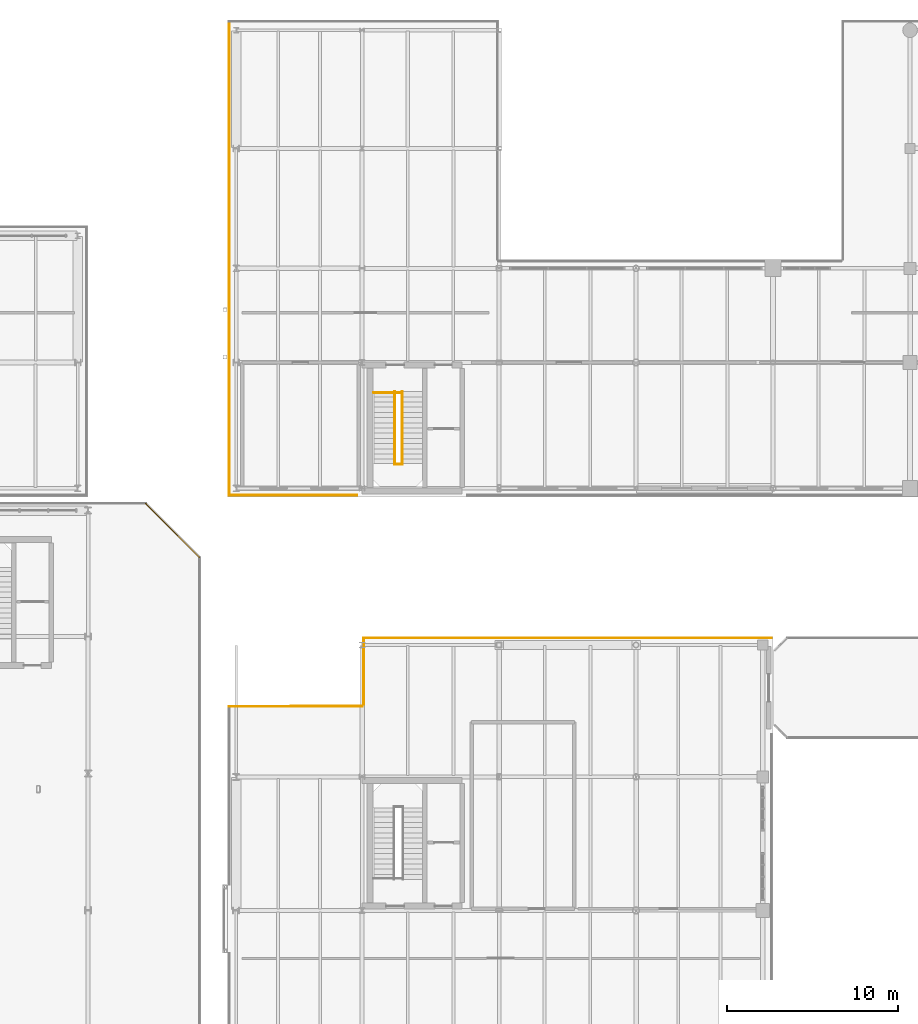
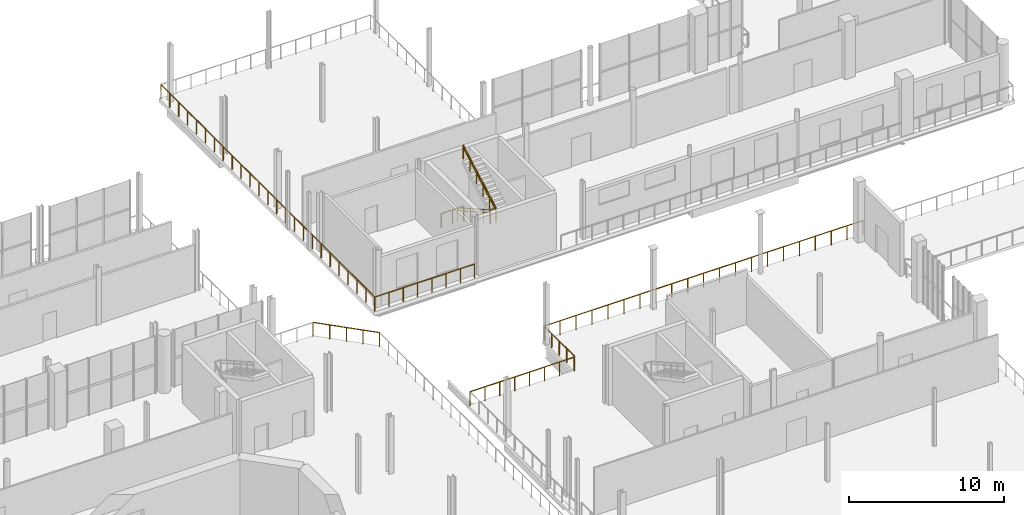
# One storey, part 90 of 93: 12 railings.
"""IFC4 building model written with IfcOpenShell, lengths in metres."""

from ifc_helpers import new_model, si_unit, direction, frame, origin, origin_2d, place, context, subcontext, project, spatial, circle, extrude, material, type_object, element, save


model = new_model("IFC4")

# Units and contexts
model_context = context("Model", 3, precision=1e-05, world=origin(), true_north=direction((0.0, 1.0)))
body_context = subcontext(model_context, "Body", "Model", "MODEL_VIEW")
ifc_project = project(units=[si_unit("LENGTHUNIT", "METRE"), si_unit("AREAUNIT", "SQUARE_METRE"), si_unit("VOLUMEUNIT", "CUBIC_METRE"), si_unit("PLANEANGLEUNIT", "RADIAN"), si_unit("MASSUNIT", "GRAM", prefix="KILO")], contexts=[model_context])

# Site, building, storey
site_placement = place(None, origin())
site = spatial("IfcSite", under=ifc_project, at=site_placement, CompositionType="ELEMENT")
building_placement = place(site_placement, origin())
building = spatial("IfcBuilding", under=site, at=building_placement, Name="Brisemont Oceanarium", CompositionType="ELEMENT")
storey_placement = place(building_placement, frame((0.0, 0.0, 5.39990234375)))
storey = spatial("IfcBuildingStorey", under=building, at=storey_placement, Name="L01", CompositionType="ELEMENT", Elevation=5.39990234375)

# Railings
ifc_material_1 = material(Name="Beaux-Arts Limestone Balustrade Precast Concrete C40/50", Category="masonry")
railing_type_1 = type_object("IfcRailingType", Name="RLG-BAL-1140", PredefinedType="BALUSTRADE", material=ifc_material_1)
railing_1_placement = place(storey_placement, frame((120.090087890625, 71.909423828125, 0.0)))
element("IfcRailing", 1, at=railing_1_placement, inside=storey, type_object=railing_type_1, Name="L01 slab perimeter safety guard 24", PredefinedType="BALUSTRADE", context=body_context, shape_type="SweptSolid", body=[
    extrude(circle(Radius=0.02392578125, at=origin_2d()), frame((0.0, 0.0, 1.11572265625), z_axis=(0.99999999979, 2.0499154e-05, 0.0), x_axis=(-2.0499154e-05, 0.99999999979, 0.0)), (0.0, 0.0, 1.0), 23.819580078125),
    extrude(circle(Radius=0.02099609375, at=origin_2d()), origin(), (0.0, 0.0, 1.0), 1.091796875),
    extrude(circle(Radius=0.02099609375, at=origin_2d()), frame((1.19091796875, 0.0, 0.0)), (0.0, 0.0, 1.0), 1.091796875),
    extrude(circle(Radius=0.02099609375, at=origin_2d()), frame((2.3818359375, 0.0, 0.0)), (0.0, 0.0, 1.0), 1.091796875),
    extrude(circle(Radius=0.02099609375, at=origin_2d()), frame((3.572998046875, 0.0, 0.0)), (0.0, 0.0, 1.0), 1.091796875),
    extrude(circle(Radius=0.02099609375, at=origin_2d()), frame((4.763916015625, 0.0, 0.0)), (0.0, 0.0, 1.0), 1.091796875),
    extrude(circle(Radius=0.02099609375, at=origin_2d()), frame((5.954833984375, 0.0, 0.0)), (0.0, 0.0, 1.0), 1.091796875),
    extrude(circle(Radius=0.02099609375, at=origin_2d()), frame((7.14599609375, 0.000244140625, 0.0)), (0.0, 0.0, 1.0), 1.091796875),
    extrude(circle(Radius=0.02099609375, at=origin_2d()), frame((8.3369140625, 0.000244140625, 0.0)), (0.0, 0.0, 1.0), 1.091796875),
    extrude(circle(Radius=0.02099609375, at=origin_2d()), frame((9.52783203125, 0.000244140625, 0.0)), (0.0, 0.0, 1.0), 1.091796875),
    extrude(circle(Radius=0.02099609375, at=origin_2d()), frame((10.71875, 0.000244140625, 0.0)), (0.0, 0.0, 1.0), 1.091796875),
    extrude(circle(Radius=0.02099609375, at=origin_2d()), frame((11.90966796875, 0.000244140625, 0.0)), (0.0, 0.0, 1.0), 1.091796875),
    extrude(circle(Radius=0.02099609375, at=origin_2d()), frame((13.100830078125, 0.000244140625, 0.0)), (0.0, 0.0, 1.0), 1.091796875),
    extrude(circle(Radius=0.02099609375, at=origin_2d()), frame((14.291748046875, 0.000244140625, 0.0)), (0.0, 0.0, 1.0), 1.091796875),
    extrude(circle(Radius=0.02099609375, at=origin_2d()), frame((15.482666015625, 0.000244140625, 0.0)), (0.0, 0.0, 1.0), 1.091796875),
    extrude(circle(Radius=0.02099609375, at=origin_2d()), frame((16.673828125, 0.000244140625, 0.0)), (0.0, 0.0, 1.0), 1.091796875),
    extrude(circle(Radius=0.02099609375, at=origin_2d()), frame((17.86474609375, 0.00048828125, 0.0)), (0.0, 0.0, 1.0), 1.091796875),
    extrude(circle(Radius=0.02099609375, at=origin_2d()), frame((19.0556640625, 0.00048828125, 0.0)), (0.0, 0.0, 1.0), 1.091796875),
    extrude(circle(Radius=0.02099609375, at=origin_2d()), frame((20.24658203125, 0.00048828125, 0.0)), (0.0, 0.0, 1.0), 1.091796875),
    extrude(circle(Radius=0.02099609375, at=origin_2d()), frame((21.4375, 0.00048828125, 0.0)), (0.0, 0.0, 1.0), 1.091796875),
    extrude(circle(Radius=0.02099609375, at=origin_2d()), frame((22.628662109375, 0.00048828125, 0.0)), (0.0, 0.0, 1.0), 1.091796875),
    extrude(circle(Radius=0.02099609375, at=origin_2d()), frame((23.819580078125, 0.00048828125, 0.0)), (0.0, 0.0, 1.0), 1.091796875),
])
ifc_material_2 = material(Name="Duplex Stainless Steel EN 1.4462", Category="steel")
railing_type_2 = type_object("IfcRailingType", Name="RLG-GUARD-1120", PredefinedType="GUARDRAIL", material=ifc_material_2)
railing_2_placement = place(storey_placement, frame((120.669921875, 86.239990234375, 0.0)))
element("IfcRailing", 2, at=railing_2_placement, inside=storey, type_object=railing_type_2, Name="ST-07 L01 landing edge guard", PredefinedType="GUARDRAIL", context=body_context, shape_type="SweptSolid", body=[
    extrude(circle(Radius=0.02392578125, at=origin_2d()), frame((0.0, 0.0, 1.09619140625), z_axis=(1.0, 0.0, 0.0), x_axis=(0.0, 1.0, 0.0)), (0.0, 0.0, 1.0), 1.68017578125),
    extrude(circle(Radius=0.02099609375, at=origin_2d()), origin(), (0.0, 0.0, 1.0), 1.072021484375),
    extrude(circle(Radius=0.02099609375, at=origin_2d()), frame((0.840087890625, 0.0, 0.0)), (0.0, 0.0, 1.0), 1.072021484375),
    extrude(circle(Radius=0.02099609375, at=origin_2d()), frame((1.68017578125, 0.0, 0.0)), (0.0, 0.0, 1.0), 1.072021484375),
])
railing_3_placement = place(storey_placement, frame((121.909912109375, 86.300048828125, 0.0)))
element("IfcRailing", 3, at=railing_3_placement, inside=storey, type_object=railing_type_2, Name="ST-07 L01 F1 well guard", PredefinedType="GUARDRAIL", context=body_context, shape_type="SweptSolid", body=[
    extrude(circle(Radius=0.02392578125, at=origin_2d()), frame((0.0, 0.0, 1.09619140625), z_axis=(0.0, -0.870740716755, 0.491742416499), x_axis=(1.0, 0.0, 0.0)), (0.0, 0.0, 1.0), 4.880859375),
    extrude(circle(Radius=0.02099609375, at=origin_2d()), origin(), (0.0, 0.0, 1.0), 1.072021484375),
    extrude(circle(Radius=0.02099609375, at=origin_2d()), frame((0.0, -0.85009765625, 0.47998046875)), (0.0, 0.0, 1.0), 1.072021484375),
    extrude(circle(Radius=0.02099609375, at=origin_2d()), frame((0.0, -1.699951171875, 0.9599609375)), (0.0, 0.0, 1.0), 1.072021484375),
    extrude(circle(Radius=0.02099609375, at=origin_2d()), frame((0.0, -2.550048828125, 1.440185546875)), (0.0, 0.0, 1.0), 1.072021484375),
    extrude(circle(Radius=0.02099609375, at=origin_2d()), frame((0.0, -3.39990234375, 1.920166015625)), (0.0, 0.0, 1.0), 1.072021484375),
    extrude(circle(Radius=0.02099609375, at=origin_2d()), frame((0.0, -4.25, 2.400146484375)), (0.0, 0.0, 1.0), 1.072021484375),
])
railing_4_placement = place(storey_placement, frame((122.35009765625, 82.050048828125, 2.400146484375)))
element("IfcRailing", 4, at=railing_4_placement, inside=storey, type_object=railing_type_2, Name="ST-07 L01 F2 well guard", PredefinedType="GUARDRAIL", context=body_context, shape_type="SweptSolid", body=[
    extrude(circle(Radius=0.02392578125, at=origin_2d()), frame((0.0, 0.0, 1.09619140625), z_axis=(0.0, 0.870762133844, 0.491704490791), x_axis=(-1.0, 0.0, 0.0)), (0.0, 0.0, 1.0), 4.880859375),
    extrude(circle(Radius=0.02099609375, at=origin_2d()), origin(), (0.0, 0.0, 1.0), 1.072021484375),
    extrude(circle(Radius=0.02099609375, at=origin_2d()), frame((0.0, 0.85009765625, 0.47998046875)), (0.0, 0.0, 1.0), 1.072021484375),
    extrude(circle(Radius=0.02099609375, at=origin_2d()), frame((0.0, 1.699951171875, 0.9599609375)), (0.0, 0.0, 1.0), 1.072021484375),
    extrude(circle(Radius=0.02099609375, at=origin_2d()), frame((0.0, 2.550048828125, 1.43994140625)), (0.0, 0.0, 1.0), 1.072021484375),
    extrude(circle(Radius=0.02099609375, at=origin_2d()), frame((0.0, 3.39990234375, 1.919921875)), (0.0, 0.0, 1.0), 1.072021484375),
    extrude(circle(Radius=0.02099609375, at=origin_2d()), frame((0.0, 4.25, 2.39990234375)), (0.0, 0.0, 1.0), 1.072021484375),
])
railing_5_placement = place(storey_placement, frame((121.909912109375, 82.050048828125, 2.400146484375)))
element("IfcRailing", 5, at=railing_5_placement, inside=storey, type_object=railing_type_2, Name="ST-07 L01 landing slot guard", PredefinedType="GUARDRAIL", context=body_context, shape_type="SweptSolid", body=[
    extrude(circle(Radius=0.02392578125, at=origin_2d()), frame((0.0, 0.0, 1.09619140625), z_axis=(1.0, 0.0, 0.0), x_axis=(0.0, 1.0, 0.0)), (0.0, 0.0, 1.0), 0.440185546875),
    extrude(circle(Radius=0.02099609375, at=origin_2d()), origin(), (0.0, 0.0, 1.0), 1.072021484375),
    extrude(circle(Radius=0.02099609375, at=origin_2d()), frame((0.440185546875, 0.0, 0.0)), (0.0, 0.0, 1.0), 1.072021484375),
])
railing_6_placement = place(storey_placement, frame((112.239990234375, 80.239990234375, 0.0)))
element("IfcRailing", 6, at=railing_6_placement, inside=storey, type_object=railing_type_2, Name="L01 slab perimeter safety guard 11", PredefinedType="GUARDRAIL", context=body_context, shape_type="SweptSolid", body=[
    extrude(circle(Radius=0.02392578125, at=origin_2d()), frame((0.0, 0.0, 1.09619140625), z_axis=(0.0, 1.0, 0.0), x_axis=(-1.0, 0.0, 0.0)), (0.0, 0.0, 1.0), 27.66943359375),
    extrude(circle(Radius=0.02099609375, at=origin_2d()), origin(), (0.0, 0.0, 1.0), 1.072021484375),
    extrude(circle(Radius=0.02099609375, at=origin_2d()), frame((0.0, 1.15283203125, 0.0)), (0.0, 0.0, 1.0), 1.072021484375),
    extrude(circle(Radius=0.02099609375, at=origin_2d()), frame((0.0, 2.3056640625, 0.0)), (0.0, 0.0, 1.0), 1.072021484375),
    extrude(circle(Radius=0.02099609375, at=origin_2d()), frame((0.0, 3.458740234375, 0.0)), (0.0, 0.0, 1.0), 1.072021484375),
    extrude(circle(Radius=0.02099609375, at=origin_2d()), frame((0.0, 4.611572265625, 0.0)), (0.0, 0.0, 1.0), 1.072021484375),
    extrude(circle(Radius=0.02099609375, at=origin_2d()), frame((0.0, 5.764404296875, 0.0)), (0.0, 0.0, 1.0), 1.072021484375),
    extrude(circle(Radius=0.02099609375, at=origin_2d()), frame((0.0, 6.91748046875, 0.0)), (0.0, 0.0, 1.0), 1.072021484375),
    extrude(circle(Radius=0.02099609375, at=origin_2d()), frame((0.0, 8.0703125, 0.0)), (0.0, 0.0, 1.0), 1.072021484375),
    extrude(circle(Radius=0.02099609375, at=origin_2d()), frame((0.0, 9.22314453125, 0.0)), (0.0, 0.0, 1.0), 1.072021484375),
    extrude(circle(Radius=0.02099609375, at=origin_2d()), frame((0.0, 10.3759765625, 0.0)), (0.0, 0.0, 1.0), 1.072021484375),
    extrude(circle(Radius=0.02099609375, at=origin_2d()), frame((0.0, 11.52880859375, 0.0)), (0.0, 0.0, 1.0), 1.072021484375),
    extrude(circle(Radius=0.02099609375, at=origin_2d()), frame((0.0, 12.681884765625, 0.0)), (0.0, 0.0, 1.0), 1.072021484375),
    extrude(circle(Radius=0.02099609375, at=origin_2d()), frame((0.0, 13.834716796875, 0.0)), (0.0, 0.0, 1.0), 1.072021484375),
    extrude(circle(Radius=0.02099609375, at=origin_2d()), frame((0.0, 14.987548828125, 0.0)), (0.0, 0.0, 1.0), 1.072021484375),
    extrude(circle(Radius=0.02099609375, at=origin_2d()), frame((0.0, 16.140625, 0.0)), (0.0, 0.0, 1.0), 1.072021484375),
    extrude(circle(Radius=0.02099609375, at=origin_2d()), frame((0.0, 17.29345703125, 0.0)), (0.0, 0.0, 1.0), 1.072021484375),
    extrude(circle(Radius=0.02099609375, at=origin_2d()), frame((0.0, 18.4462890625, 0.0)), (0.0, 0.0, 1.0), 1.072021484375),
    extrude(circle(Radius=0.02099609375, at=origin_2d()), frame((0.0, 19.59912109375, 0.0)), (0.0, 0.0, 1.0), 1.072021484375),
    extrude(circle(Radius=0.02099609375, at=origin_2d()), frame((0.0, 20.751953125, 0.0)), (0.0, 0.0, 1.0), 1.072021484375),
    extrude(circle(Radius=0.02099609375, at=origin_2d()), frame((0.0, 21.905029296875, 0.0)), (0.0, 0.0, 1.0), 1.072021484375),
    extrude(circle(Radius=0.02099609375, at=origin_2d()), frame((0.0, 23.057861328125, 0.0)), (0.0, 0.0, 1.0), 1.072021484375),
    extrude(circle(Radius=0.02099609375, at=origin_2d()), frame((0.0, 24.210693359375, 0.0)), (0.0, 0.0, 1.0), 1.072021484375),
    extrude(circle(Radius=0.02099609375, at=origin_2d()), frame((0.0, 25.36376953125, 0.0)), (0.0, 0.0, 1.0), 1.072021484375),
    extrude(circle(Radius=0.02099609375, at=origin_2d()), frame((0.0, 26.5166015625, 0.0)), (0.0, 0.0, 1.0), 1.072021484375),
    extrude(circle(Radius=0.02099609375, at=origin_2d()), frame((0.0, 27.66943359375, 0.0)), (0.0, 0.0, 1.0), 1.072021484375),
])
railing_7_placement = place(storey_placement, frame((119.703125, 80.239990234375, 0.0)))
element("IfcRailing", 7, at=railing_7_placement, inside=storey, type_object=railing_type_2, Name="L01 slab perimeter safety guard 19", PredefinedType="GUARDRAIL", context=body_context, shape_type="SweptSolid", body=[
    extrude(circle(Radius=0.02392578125, at=origin_2d()), frame((0.0, 0.0, 1.09619140625), z_axis=(-1.0, 0.0, 0.0), x_axis=(0.0, -1.0, 0.0)), (0.0, 0.0, 1.0), 7.463134765625),
    extrude(circle(Radius=0.02099609375, at=origin_2d()), origin(), (0.0, 0.0, 1.0), 1.072021484375),
    extrude(circle(Radius=0.02099609375, at=origin_2d()), frame((-1.066162109375, 0.0, 0.0)), (0.0, 0.0, 1.0), 1.072021484375),
    extrude(circle(Radius=0.02099609375, at=origin_2d()), frame((-2.13232421875, 0.0, 0.0)), (0.0, 0.0, 1.0), 1.072021484375),
    extrude(circle(Radius=0.02099609375, at=origin_2d()), frame((-3.198486328125, 0.0, 0.0)), (0.0, 0.0, 1.0), 1.072021484375),
    extrude(circle(Radius=0.02099609375, at=origin_2d()), frame((-4.2646484375, 0.0, 0.0)), (0.0, 0.0, 1.0), 1.072021484375),
    extrude(circle(Radius=0.02099609375, at=origin_2d()), frame((-5.330810546875, 0.0, 0.0)), (0.0, 0.0, 1.0), 1.072021484375),
    extrude(circle(Radius=0.02099609375, at=origin_2d()), frame((-6.39697265625, 0.0, 0.0)), (0.0, 0.0, 1.0), 1.072021484375),
    extrude(circle(Radius=0.02099609375, at=origin_2d()), frame((-7.463134765625, 0.0, 0.0)), (0.0, 0.0, 1.0), 1.072021484375),
])
railing_8_placement = place(storey_placement, frame((112.239990234375, 67.909423828125, 0.0)))
element("IfcRailing", 8, at=railing_8_placement, inside=storey, type_object=railing_type_2, Name="L01 slab perimeter safety guard 22", PredefinedType="GUARDRAIL", context=body_context, shape_type="SweptSolid", body=[
    extrude(circle(Radius=0.02392578125, at=origin_2d()), frame((0.0, 0.0, 1.09619140625), z_axis=(0.999998914547, 0.001473398821, 0.0), x_axis=(-0.001473398821, 0.999998914547, 0.0)), (0.0, 0.0, 1.0), 7.787841796875),
    extrude(circle(Radius=0.02099609375, at=origin_2d()), origin(), (0.0, 0.0, 1.0), 1.072021484375),
    extrude(circle(Radius=0.02099609375, at=origin_2d()), frame((1.112548828125, 0.001708984375, 0.0)), (0.0, 0.0, 1.0), 1.072021484375),
    extrude(circle(Radius=0.02099609375, at=origin_2d()), frame((2.22509765625, 0.003173828125, 0.0)), (0.0, 0.0, 1.0), 1.072021484375),
    extrude(circle(Radius=0.02099609375, at=origin_2d()), frame((3.337646484375, 0.0048828125, 0.0)), (0.0, 0.0, 1.0), 1.072021484375),
    extrude(circle(Radius=0.02099609375, at=origin_2d()), frame((4.4501953125, 0.006591796875, 0.0)), (0.0, 0.0, 1.0), 1.072021484375),
    extrude(circle(Radius=0.02099609375, at=origin_2d()), frame((5.562744140625, 0.00830078125, 0.0)), (0.0, 0.0, 1.0), 1.072021484375),
    extrude(circle(Radius=0.02099609375, at=origin_2d()), frame((6.67529296875, 0.009765625, 0.0)), (0.0, 0.0, 1.0), 1.072021484375),
    extrude(circle(Radius=0.02099609375, at=origin_2d()), frame((7.787841796875, 0.011474609375, 0.0)), (0.0, 0.0, 1.0), 1.072021484375),
])
railing_9_placement = place(storey_placement, frame((120.090087890625, 68.02001953125, 0.0)))
element("IfcRailing", 9, at=railing_9_placement, inside=storey, type_object=railing_type_2, Name="L01 slab perimeter safety guard 23", PredefinedType="GUARDRAIL", context=body_context, shape_type="SweptSolid", body=[
    extrude(circle(Radius=0.02392578125, at=origin_2d()), frame((0.0, 0.0, 1.09619140625), z_axis=(0.0, 1.0, 0.0), x_axis=(-1.0, 0.0, 0.0)), (0.0, 0.0, 1.0), 3.889404296875),
    extrude(circle(Radius=0.02099609375, at=origin_2d()), origin(), (0.0, 0.0, 1.0), 1.072021484375),
    extrude(circle(Radius=0.02099609375, at=origin_2d()), frame((0.0, 0.972412109375, 0.0)), (0.0, 0.0, 1.0), 1.072021484375),
    extrude(circle(Radius=0.02099609375, at=origin_2d()), frame((0.0, 1.94482421875, 0.0)), (0.0, 0.0, 1.0), 1.072021484375),
    extrude(circle(Radius=0.02099609375, at=origin_2d()), frame((0.0, 2.9169921875, 0.0)), (0.0, 0.0, 1.0), 1.072021484375),
    extrude(circle(Radius=0.02099609375, at=origin_2d()), frame((0.0, 3.889404296875, 0.0)), (0.0, 0.0, 1.0), 1.072021484375),
])
railing_10_placement = place(storey_placement, frame((107.36279296875, 79.760009765625, 0.0)))
element("IfcRailing", 10, at=railing_10_placement, inside=storey, type_object=railing_type_2, Name="L01 slab perimeter safety guard 46", PredefinedType="GUARDRAIL", context=body_context, shape_type="SweptSolid", body=[
    extrude(circle(Radius=0.02392578125, at=origin_2d()), frame((0.0, 0.0, 1.09619140625), z_axis=(0.707106781187, -0.707106781187, 0.0), x_axis=(0.707106781187, 0.707106781187, 0.0)), (0.0, 0.0, 1.0), 4.450927734375),
    extrude(circle(Radius=0.02099609375, at=origin_2d()), origin(), (0.0, 0.0, 1.0), 1.072021484375),
    extrude(circle(Radius=0.02099609375, at=origin_2d()), frame((0.786865234375, -0.786865234375, 0.0)), (0.0, 0.0, 1.0), 1.072021484375),
    extrude(circle(Radius=0.02099609375, at=origin_2d()), frame((1.57373046875, -1.57373046875, 0.0)), (0.0, 0.0, 1.0), 1.072021484375),
    extrude(circle(Radius=0.02099609375, at=origin_2d()), frame((2.3603515625, -2.3603515625, 0.0)), (0.0, 0.0, 1.0), 1.072021484375),
    extrude(circle(Radius=0.02099609375, at=origin_2d()), frame((3.147216796875, -3.147216796875, 0.0)), (0.0, 0.0, 1.0), 1.072021484375),
])
ifc_material_3 = material(Name="Duplex Stainless Steel EN 1.4462", Category="steel")
railing_type_3 = type_object("IfcRailingType", Name="RLG-HAND-900", PredefinedType="HANDRAIL", material=ifc_material_3)
railing_11_placement = place(storey_placement, frame((121.909912109375, 86.300048828125, 0.0)))
element("IfcRailing", 11, at=railing_11_placement, inside=storey, type_object=railing_type_3, Name="ST-07 L01 F1 handrail", PredefinedType="HANDRAIL", context=body_context, shape_type="SweptSolid", body=[
    extrude(circle(Radius=0.02392578125, at=origin_2d()), frame((0.0, 0.0, 0.8759765625), z_axis=(0.0, -0.870740716755, 0.491742416499), x_axis=(1.0, 0.0, 0.0)), (0.0, 0.0, 1.0), 4.880859375),
    extrude(circle(Radius=0.02099609375, at=origin_2d()), origin(), (0.0, 0.0, 1.0), 0.851806640625),
    extrude(circle(Radius=0.02099609375, at=origin_2d()), frame((0.0, -0.85009765625, 0.47998046875)), (0.0, 0.0, 1.0), 0.851806640625),
    extrude(circle(Radius=0.02099609375, at=origin_2d()), frame((0.0, -1.699951171875, 0.9599609375)), (0.0, 0.0, 1.0), 0.851806640625),
    extrude(circle(Radius=0.02099609375, at=origin_2d()), frame((0.0, -2.550048828125, 1.440185546875)), (0.0, 0.0, 1.0), 0.851806640625),
    extrude(circle(Radius=0.02099609375, at=origin_2d()), frame((0.0, -3.39990234375, 1.920166015625)), (0.0, 0.0, 1.0), 0.851806640625),
    extrude(circle(Radius=0.02099609375, at=origin_2d()), frame((0.0, -4.25, 2.400146484375)), (0.0, 0.0, 1.0), 0.851806640625),
])
railing_12_placement = place(storey_placement, frame((122.35009765625, 82.050048828125, 2.400146484375)))
element("IfcRailing", 12, at=railing_12_placement, inside=storey, type_object=railing_type_3, Name="ST-07 L01 F2 handrail", PredefinedType="HANDRAIL", context=body_context, shape_type="SweptSolid", body=[
    extrude(circle(Radius=0.02392578125, at=origin_2d()), frame((0.0, 0.0, 0.8759765625), z_axis=(0.0, 0.870762133844, 0.491704490791), x_axis=(-1.0, 0.0, 0.0)), (0.0, 0.0, 1.0), 4.880859375),
    extrude(circle(Radius=0.02099609375, at=origin_2d()), origin(), (0.0, 0.0, 1.0), 0.851806640625),
    extrude(circle(Radius=0.02099609375, at=origin_2d()), frame((0.0, 0.85009765625, 0.47998046875)), (0.0, 0.0, 1.0), 0.851806640625),
    extrude(circle(Radius=0.02099609375, at=origin_2d()), frame((0.0, 1.699951171875, 0.9599609375)), (0.0, 0.0, 1.0), 0.851806640625),
    extrude(circle(Radius=0.02099609375, at=origin_2d()), frame((0.0, 2.550048828125, 1.43994140625)), (0.0, 0.0, 1.0), 0.851806640625),
    extrude(circle(Radius=0.02099609375, at=origin_2d()), frame((0.0, 3.39990234375, 1.919921875)), (0.0, 0.0, 1.0), 0.851806640625),
    extrude(circle(Radius=0.02099609375, at=origin_2d()), frame((0.0, 4.25, 2.39990234375)), (0.0, 0.0, 1.0), 0.851806640625),
])

save(model, "model.ifc")
